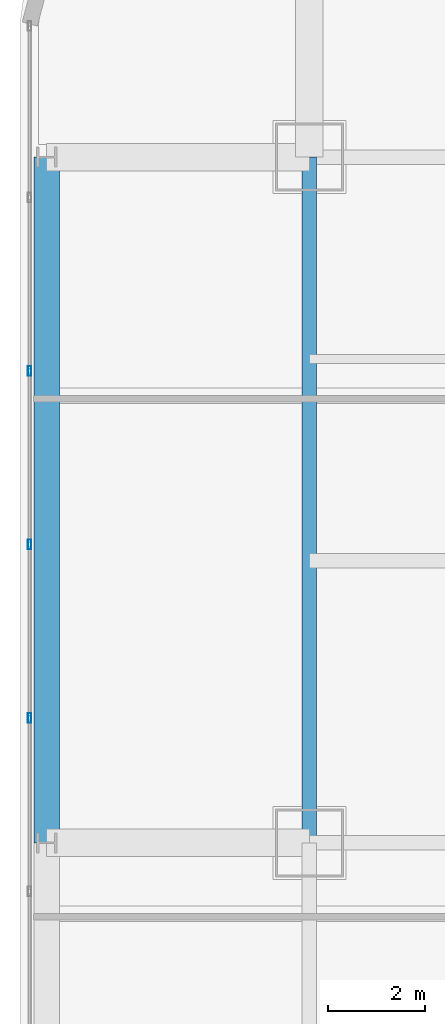
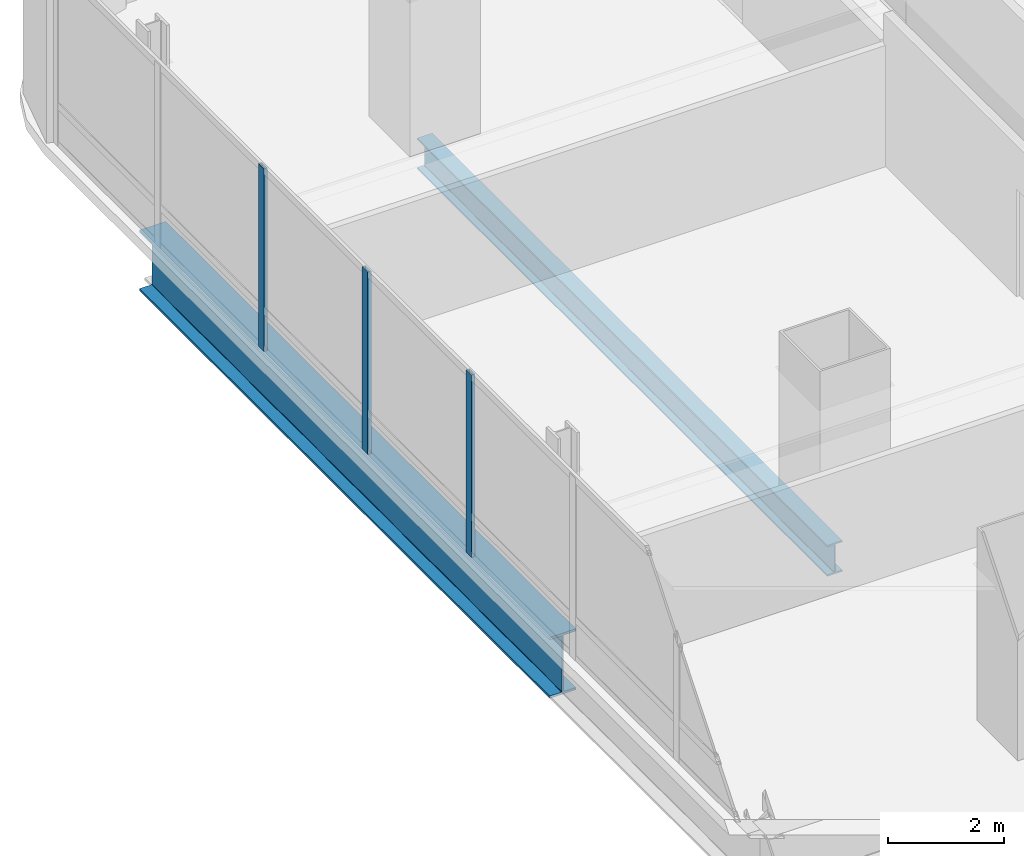
# One storey, part 12 of 38: 3 members, 2 beams, 1 element without a shape of its own.
"""IFC4 building model written with IfcOpenShell, lengths in metres."""

from ifc_helpers import new_model, si_unit, direction, frame, origin, origin_2d, place, context, subcontext, project, spatial, hollow_rectangle, i_section, extrude, material, material_profile, profile_set, type_object, element, aggregate, save


model = new_model("IFC4")

# Units and contexts
model_context = context("Model", 3, precision=1e-05, world=origin(), true_north=direction((0.0, 1.0)))
body_context = subcontext(model_context, "Body", "Model", "MODEL_VIEW")
ifc_project = project(units=[si_unit("LENGTHUNIT", "METRE"), si_unit("AREAUNIT", "SQUARE_METRE"), si_unit("VOLUMEUNIT", "CUBIC_METRE"), si_unit("PLANEANGLEUNIT", "RADIAN"), si_unit("MASSUNIT", "GRAM", prefix="KILO")], contexts=[model_context])

# Site, building, storey
site_placement = place(None, origin())
site = spatial("IfcSite", under=ifc_project, at=site_placement, CompositionType="ELEMENT")
building_placement = place(site_placement, origin())
building = spatial("IfcBuilding", under=site, at=building_placement, Name="Punatoya Terracotta Tower", CompositionType="ELEMENT")
storey_placement = place(building_placement, frame((0.0, 0.0, 156.0)))
storey = spatial("IfcBuildingStorey", under=building, at=storey_placement, Name="L36", CompositionType="ELEMENT", Elevation=156.0)

# Beams
ifc_material_1 = material(Name="Steel S355", Category="steel")
ifc_material_profile_1 = material_profile(ifc_material_1, i_section(OverallWidth=0.300048828125, OverallDepth=0.64990234375, WebThickness=0.01611328125, FlangeThickness=0.031005859375, FilletRadius=0.01806640625, at=origin_2d()))
ifc_profile_set_1 = profile_set([ifc_material_profile_1], Name="Steel S355")
beam_type_1 = type_object("IfcBeamType", Name="BM-PRI-650", PredefinedType="BEAM", material=ifc_profile_set_1)
beam_1_placement = place(storey_placement, frame((-19.10009765625, 3.39990234375, -0.544921875), z_axis=(0.0, 1.0, 0.0), x_axis=(-1.0, 0.0, 0.0)))
element("IfcBeam", 1, at=beam_1_placement, inside=storey, type_object=beam_type_1, Name="BM-L36-RG-W3", PredefinedType="BEAM", context=body_context, shape_type="SweptSolid", body=[
    extrude(i_section(OverallWidth=0.300048828125, OverallDepth=0.64990234375, WebThickness=0.01611328125, FlangeThickness=0.031005859375, FilletRadius=0.01806640625, at=origin_2d()), origin(), (0.0, 0.0, 1.0), 14.10009765625),
])
ifc_material_2 = material(Name="Steel S460", Category="steel")
ifc_material_profile_2 = material_profile(ifc_material_2, i_section(OverallWidth=0.52001953125, OverallDepth=1.280029296875, WebThickness=0.031982421875, FlangeThickness=0.050048828125, FilletRadius=0.01806640625, at=origin_2d()))
ifc_profile_set_2 = profile_set([ifc_material_profile_2], Name="Steel S460")
beam_type_2 = type_object("IfcBeamType", Name="BM-TG-NCK", PredefinedType="BEAM", material=ifc_profile_set_2)
beam_2_placement = place(storey_placement, frame((-24.5, 3.39990234375, -0.860107421875), z_axis=(0.0, 1.0, 0.0), x_axis=(-1.0, 0.0, 0.0)))
element("IfcBeam", 2, at=beam_2_placement, inside=storey, type_object=beam_type_2, Name="BM-L36-PER-W3", PredefinedType="BEAM", context=body_context, shape_type="SweptSolid", body=[
    extrude(i_section(OverallWidth=0.52001953125, OverallDepth=1.280029296875, WebThickness=0.031982421875, FlangeThickness=0.050048828125, FilletRadius=0.01806640625, at=origin_2d()), origin(), (0.0, 0.0, 1.0), 14.10009765625),
])

# Curtain wall, members
ifc_material_3 = material(Name="Aluminium 6063-T6 + Double Low-E Glass", Category="aluminium")
curtain_wall_type = type_object("IfcCurtainWallType", Name="CW-M2", PredefinedType="NOTDEFINED", material=ifc_material_3)
curtain_wall_placement = place(storey_placement, origin())
curtain_wall = element("IfcCurtainWall", 3, at=curtain_wall_placement, inside=storey, type_object=curtain_wall_type, Name="L36 Curtain Wall CW-L36-W13-1", PredefinedType="NOTDEFINED")
ifc_material_4 = material(Name="Aluminium 6063-T6", Category="aluminium")
ifc_material_profile_3 = material_profile(ifc_material_4, hollow_rectangle(XDim=0.072021484375, YDim=0.195068359375, WallThickness=0.00439453125, at=origin_2d()))
ifc_profile_set_3 = profile_set([ifc_material_profile_3], Name="Aluminium 6063-T6")
member_type = type_object("IfcMemberType", Name="CW-MUL-M2", PredefinedType="MULLION", material=ifc_profile_set_3)
member_1_placement = place(storey_placement, frame((-24.85009765625, 13.10205078125, 0.0), z_axis=(0.0, 0.0, 1.0), x_axis=(1.0, 0.0, 0.0)))
member_1 = element("IfcMember", 4, at=member_1_placement, type_object=member_type, Name="CW-L36-W13-1 Mullion 02", PredefinedType="MULLION", context=body_context, shape_type="SweptSolid", body=[
    extrude(hollow_rectangle(XDim=0.072021484375, YDim=0.195068359375, WallThickness=0.00439453125, at=origin_2d()), origin(), (0.0, 0.0, 1.0), 3.830078125),
])
member_2_placement = place(storey_placement, frame((-24.85009765625, 9.534912109375, 0.0), z_axis=(0.0, 0.0, 1.0), x_axis=(1.0, 0.0, 0.0)))
member_2 = element("IfcMember", 5, at=member_2_placement, type_object=member_type, Name="CW-L36-W13-1 Mullion 03", PredefinedType="MULLION", context=body_context, shape_type="SweptSolid", body=[
    extrude(hollow_rectangle(XDim=0.072021484375, YDim=0.195068359375, WallThickness=0.00439453125, at=origin_2d()), origin(), (0.0, 0.0, 1.0), 3.830078125),
])
member_3_placement = place(storey_placement, frame((-24.85009765625, 5.96728515625, 0.0), z_axis=(0.0, 0.0, 1.0), x_axis=(1.0, 0.0, 0.0)))
member_3 = element("IfcMember", 6, at=member_3_placement, type_object=member_type, Name="CW-L36-W13-1 Mullion 04", PredefinedType="MULLION", context=body_context, shape_type="SweptSolid", body=[
    extrude(hollow_rectangle(XDim=0.072021484375, YDim=0.195068359375, WallThickness=0.00439453125, at=origin_2d()), origin(), (0.0, 0.0, 1.0), 3.830078125),
])
aggregate(curtain_wall, [member_1, member_2, member_3])

save(model, "model.ifc")
